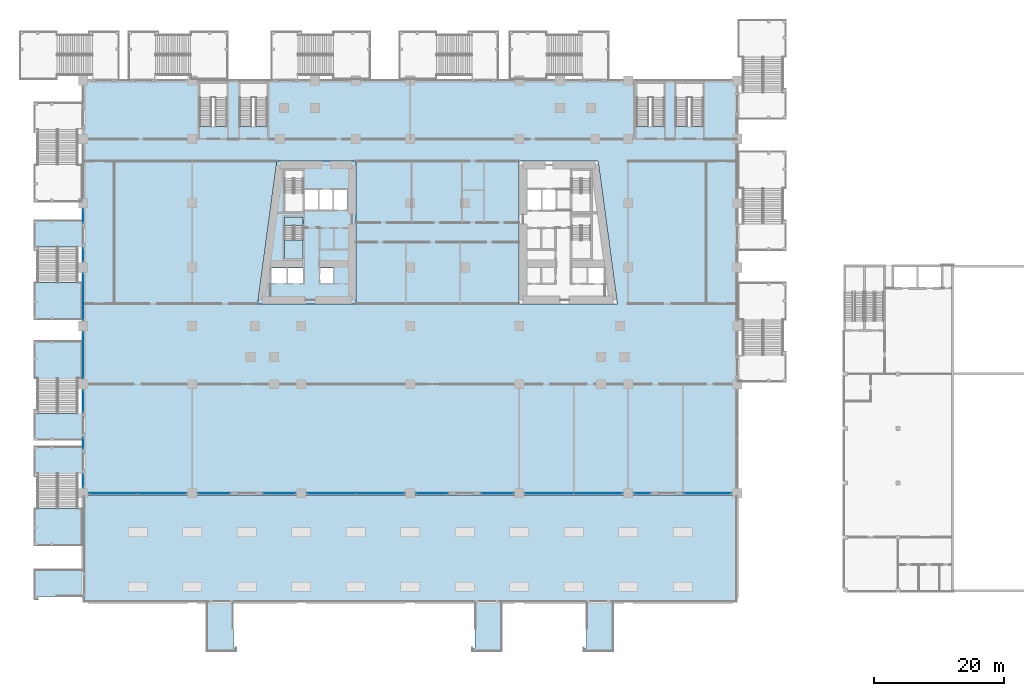
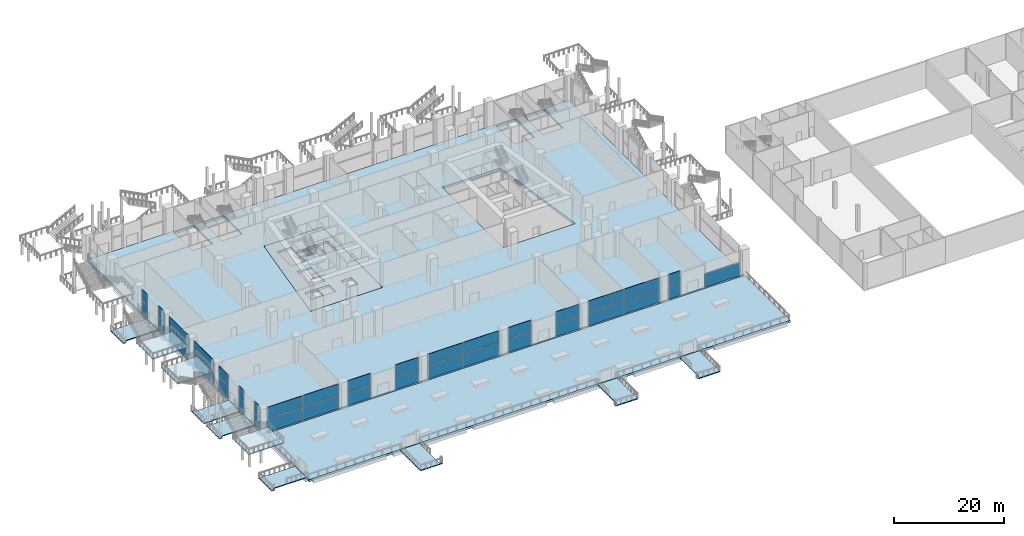
# One storey, part 14 of 47: 37 plates, 16 slabs, 20 elements without a shape of their own.
"""IFC4 building model written with IfcOpenShell, lengths in metres."""

from ifc_helpers import new_model, si_unit, direction, frame, origin, origin_2d, place, context, subcontext, project, spatial, polyline, rectangle, outline, extrude, material, layer, layer_set, type_object, element, aggregate, save


model = new_model("IFC4")

# Units and contexts
model_context = context("Model", 3, precision=1e-05, world=origin(), true_north=direction((0.0, 1.0)))
body_context = subcontext(model_context, "Body", "Model", "MODEL_VIEW")
ifc_project = project(units=[si_unit("LENGTHUNIT", "METRE"), si_unit("AREAUNIT", "SQUARE_METRE"), si_unit("VOLUMEUNIT", "CUBIC_METRE"), si_unit("PLANEANGLEUNIT", "RADIAN"), si_unit("MASSUNIT", "GRAM", prefix="KILO")], contexts=[model_context])

# Site, building, storey
site_placement = place(None, origin())
site = spatial("IfcSite", under=ifc_project, at=site_placement, CompositionType="ELEMENT")
building_placement = place(site_placement, origin())
building = spatial("IfcBuilding", under=site, at=building_placement, Name="Candeia Pilgrim Tower and Theatre", CompositionType="ELEMENT")
storey_placement = place(building_placement, frame((0.0, 0.0, 23.0)))
storey = spatial("IfcBuildingStorey", under=building, at=storey_placement, Name="L03", CompositionType="ELEMENT", Elevation=23.0)

# Curtain wall, plates
ifc_material_1 = material(Name="Aluminium framed podium glazing", Category="aluminium")
curtain_wall_type = type_object("IfcCurtainWallType", Name="CW-P curtain wall", PredefinedType="NOTDEFINED", material=ifc_material_1)
curtain_wall_1_placement = place(storey_placement, origin())
curtain_wall_1 = element("IfcCurtainWall", 1, at=curtain_wall_1_placement, inside=storey, type_object=curtain_wall_type, Name="Curtain wall CW-P L03.000", PredefinedType="NOTDEFINED")
ifc_material_2 = material(Name="Laminated low-iron glass 2 x 8 mm", Category="glass")
ifc_layer_1 = layer(ifc_material_2, 0.035888671875)
ifc_layer_set_1 = layer_set([ifc_layer_1], Name="CW-P glass panel 36")
plate_type = type_object("IfcPlateType", Name="CW-P glass panel 36", PredefinedType="CURTAIN_PANEL", material=ifc_layer_set_1)
plate_1_placement = place(storey_placement, frame((58.800048828125, 83.125, 0.0), z_axis=(0.0, 0.0, 1.0), x_axis=(0.0, 1.0, 0.0)))
plate_1 = element("IfcPlate", 2, at=plate_1_placement, type_object=plate_type, Name="CW-P panel 1.1", PredefinedType="CURTAIN_PANEL", context=body_context, shape_type="SweptSolid", body=[
    extrude(rectangle(XDim=1.969970703125, YDim=0.035888671875, at=origin_2d()), origin(), (0.0, 0.0, 1.0), 2.9599609375),
])
plate_2_placement = place(storey_placement, frame((58.800048828125, 83.125, 3.0400390625), z_axis=(0.0, 0.0, 1.0), x_axis=(0.0, 1.0, 0.0)))
plate_2 = element("IfcPlate", 3, at=plate_2_placement, type_object=plate_type, Name="CW-P panel 1.2", PredefinedType="CURTAIN_PANEL", context=body_context, shape_type="SweptSolid", body=[
    extrude(rectangle(XDim=1.969970703125, YDim=0.035888671875, at=origin_2d()), origin(), (0.0, 0.0, 1.0), 2.4599609375),
])
aggregate(curtain_wall_1, [plate_1, plate_2])

curtain_wall_2_placement = place(storey_placement, origin())
curtain_wall_2 = element("IfcCurtainWall", 4, at=curtain_wall_2_placement, inside=storey, type_object=curtain_wall_type, Name="Curtain wall CW-P L03.001", PredefinedType="NOTDEFINED")
plate_3_placement = place(storey_placement, frame((58.800048828125, 88.89990234375, 0.0), z_axis=(0.0, 0.0, 1.0), x_axis=(0.0, 1.0, 0.0)))
plate_3 = element("IfcPlate", 5, at=plate_3_placement, type_object=plate_type, Name="CW-P panel 1.1", PredefinedType="CURTAIN_PANEL", context=body_context, shape_type="SweptSolid", body=[
    extrude(rectangle(XDim=1.6201171875, YDim=0.035888671875, at=origin_2d()), origin(), (0.0, 0.0, 1.0), 2.9599609375),
])
plate_4_placement = place(storey_placement, frame((58.800048828125, 88.89990234375, 3.0400390625), z_axis=(0.0, 0.0, 1.0), x_axis=(0.0, 1.0, 0.0)))
plate_4 = element("IfcPlate", 6, at=plate_4_placement, type_object=plate_type, Name="CW-P panel 1.2", PredefinedType="CURTAIN_PANEL", context=body_context, shape_type="SweptSolid", body=[
    extrude(rectangle(XDim=1.6201171875, YDim=0.035888671875, at=origin_2d()), origin(), (0.0, 0.0, 1.0), 2.4599609375),
])
aggregate(curtain_wall_2, [plate_3, plate_4])

curtain_wall_3_placement = place(storey_placement, origin())
curtain_wall_3 = element("IfcCurtainWall", 7, at=curtain_wall_3_placement, inside=storey, type_object=curtain_wall_type, Name="Curtain wall CW-P L03.002", PredefinedType="NOTDEFINED")
plate_5_placement = place(storey_placement, frame((58.800048828125, 95.375, 0.0), z_axis=(0.0, 0.0, 1.0), x_axis=(0.0, 1.0, 0.0)))
plate_5 = element("IfcPlate", 8, at=plate_5_placement, type_object=plate_type, Name="CW-P panel 1.1", PredefinedType="CURTAIN_PANEL", context=body_context, shape_type="SweptSolid", body=[
    extrude(rectangle(XDim=3.3701171875, YDim=0.035888671875, at=origin_2d()), origin(), (0.0, 0.0, 1.0), 2.9599609375),
])
plate_6_placement = place(storey_placement, frame((58.800048828125, 95.375, 3.0400390625), z_axis=(0.0, 0.0, 1.0), x_axis=(0.0, 1.0, 0.0)))
plate_6 = element("IfcPlate", 9, at=plate_6_placement, type_object=plate_type, Name="CW-P panel 1.2", PredefinedType="CURTAIN_PANEL", context=body_context, shape_type="SweptSolid", body=[
    extrude(rectangle(XDim=3.3701171875, YDim=0.035888671875, at=origin_2d()), origin(), (0.0, 0.0, 1.0), 2.4599609375),
])
aggregate(curtain_wall_3, [plate_5, plate_6])

curtain_wall_4_placement = place(storey_placement, origin())
curtain_wall_4 = element("IfcCurtainWall", 10, at=curtain_wall_4_placement, inside=storey, type_object=curtain_wall_type, Name="Curtain wall CW-P L03.010", PredefinedType="NOTDEFINED")
plate_7_placement = place(storey_placement, frame((58.800048828125, 102.5, 0.0), z_axis=(0.0, 0.0, 1.0), x_axis=(0.0, 1.0, 0.0)))
plate_7 = element("IfcPlate", 11, at=plate_7_placement, type_object=plate_type, Name="CW-P panel 1.1", PredefinedType="CURTAIN_PANEL", context=body_context, shape_type="SweptSolid", body=[
    extrude(rectangle(XDim=7.1201171875, YDim=0.035888671875, at=origin_2d()), origin(), (0.0, 0.0, 1.0), 2.9599609375),
])
plate_8_placement = place(storey_placement, frame((58.800048828125, 102.5, 3.0400390625), z_axis=(0.0, 0.0, 1.0), x_axis=(0.0, 1.0, 0.0)))
plate_8 = element("IfcPlate", 12, at=plate_8_placement, type_object=plate_type, Name="CW-P panel 1.2", PredefinedType="CURTAIN_PANEL", context=body_context, shape_type="SweptSolid", body=[
    extrude(rectangle(XDim=7.1201171875, YDim=0.035888671875, at=origin_2d()), origin(), (0.0, 0.0, 1.0), 2.4599609375),
])
aggregate(curtain_wall_4, [plate_7, plate_8])

curtain_wall_5_placement = place(storey_placement, origin())
curtain_wall_5 = element("IfcCurtainWall", 13, at=curtain_wall_5_placement, inside=storey, type_object=curtain_wall_type, Name="Curtain wall CW-P L03.020", PredefinedType="NOTDEFINED")
plate_9_placement = place(storey_placement, frame((58.800048828125, 111.5, 0.0), z_axis=(0.0, 0.0, 1.0), x_axis=(0.0, 1.0, 0.0)))
plate_9 = element("IfcPlate", 14, at=plate_9_placement, type_object=plate_type, Name="CW-P panel 1.1", PredefinedType="CURTAIN_PANEL", context=body_context, shape_type="SweptSolid", body=[
    extrude(rectangle(XDim=7.1201171875, YDim=0.035888671875, at=origin_2d()), origin(), (0.0, 0.0, 1.0), 2.9599609375),
])
plate_10_placement = place(storey_placement, frame((58.800048828125, 111.5, 3.0400390625), z_axis=(0.0, 0.0, 1.0), x_axis=(0.0, 1.0, 0.0)))
plate_10 = element("IfcPlate", 15, at=plate_10_placement, type_object=plate_type, Name="CW-P panel 1.2", PredefinedType="CURTAIN_PANEL", context=body_context, shape_type="SweptSolid", body=[
    extrude(rectangle(XDim=7.1201171875, YDim=0.035888671875, at=origin_2d()), origin(), (0.0, 0.0, 1.0), 2.4599609375),
])
aggregate(curtain_wall_5, [plate_9, plate_10])

curtain_wall_6_placement = place(storey_placement, origin())
curtain_wall_6 = element("IfcCurtainWall", 16, at=curtain_wall_6_placement, inside=storey, type_object=curtain_wall_type, Name="Curtain wall CW-P L03.030", PredefinedType="NOTDEFINED")
plate_11_placement = place(storey_placement, frame((58.800048828125, 117.949951171875, 0.0), z_axis=(0.0, 0.0, 1.0), x_axis=(0.0, 1.0, 0.0)))
plate_11 = element("IfcPlate", 17, at=plate_11_placement, type_object=plate_type, Name="CW-P panel 1.1", PredefinedType="CURTAIN_PANEL", context=body_context, shape_type="SweptSolid", body=[
    extrude(rectangle(XDim=2.02001953125, YDim=0.035888671875, at=origin_2d()), origin(), (0.0, 0.0, 1.0), 2.9599609375),
])
plate_12_placement = place(storey_placement, frame((58.800048828125, 117.949951171875, 3.0400390625), z_axis=(0.0, 0.0, 1.0), x_axis=(0.0, 1.0, 0.0)))
plate_12 = element("IfcPlate", 18, at=plate_12_placement, type_object=plate_type, Name="CW-P panel 1.2", PredefinedType="CURTAIN_PANEL", context=body_context, shape_type="SweptSolid", body=[
    extrude(rectangle(XDim=2.02001953125, YDim=0.035888671875, at=origin_2d()), origin(), (0.0, 0.0, 1.0), 2.4599609375),
])
aggregate(curtain_wall_6, [plate_11, plate_12])

curtain_wall_7_placement = place(storey_placement, origin())
curtain_wall_7 = element("IfcCurtainWall", 19, at=curtain_wall_7_placement, inside=storey, type_object=curtain_wall_type, Name="Curtain wall CW-P L03.031", PredefinedType="NOTDEFINED")
plate_13_placement = place(storey_placement, frame((58.800048828125, 123.949951171875, 0.0), z_axis=(0.0, 0.0, 1.0), x_axis=(0.0, 1.0, 0.0)))
plate_13 = element("IfcPlate", 20, at=plate_13_placement, type_object=plate_type, Name="CW-P panel 1.1", PredefinedType="CURTAIN_PANEL", context=body_context, shape_type="SweptSolid", body=[
    extrude(rectangle(XDim=2.02001953125, YDim=0.035888671875, at=origin_2d()), origin(), (0.0, 0.0, 1.0), 2.9599609375),
])
plate_14_placement = place(storey_placement, frame((58.800048828125, 123.949951171875, 3.0400390625), z_axis=(0.0, 0.0, 1.0), x_axis=(0.0, 1.0, 0.0)))
plate_14 = element("IfcPlate", 21, at=plate_14_placement, type_object=plate_type, Name="CW-P panel 1.2", PredefinedType="CURTAIN_PANEL", context=body_context, shape_type="SweptSolid", body=[
    extrude(rectangle(XDim=2.02001953125, YDim=0.035888671875, at=origin_2d()), origin(), (0.0, 0.0, 1.0), 2.4599609375),
])
aggregate(curtain_wall_7, [plate_13, plate_14])

# Curtain wall, plate
curtain_wall_8_placement = place(storey_placement, origin())
curtain_wall_8 = element("IfcCurtainWall", 22, at=curtain_wall_8_placement, inside=storey, type_object=curtain_wall_type, Name="Curtain wall CW-P L03.300", PredefinedType="NOTDEFINED")
plate_15_placement = place(storey_placement, frame((155.02490234375, 81.199951171875, 0.0), z_axis=(0.0, 0.0, 1.0), x_axis=(-1.0, 0.0, 0.0)))
plate_15 = element("IfcPlate", 23, at=plate_15_placement, type_object=plate_type, Name="CW-P panel 1.1", PredefinedType="CURTAIN_PANEL", context=body_context, shape_type="SweptSolid", body=[
    extrude(rectangle(XDim=7.27001953125, YDim=0.035888671875, at=origin_2d()), origin(), (0.0, 0.0, 1.0), 2.9599609375),
])
aggregate(curtain_wall_8, [plate_15])

# Curtain wall, plates
curtain_wall_9_placement = place(storey_placement, origin())
curtain_wall_9 = element("IfcCurtainWall", 24, at=curtain_wall_9_placement, inside=storey, type_object=curtain_wall_type, Name="Curtain wall CW-P L03.301", PredefinedType="NOTDEFINED")
plate_16_placement = place(storey_placement, frame((144.97509765625, 81.199951171875, 0.0), z_axis=(0.0, 0.0, 1.0), x_axis=(-1.0, 0.0, 0.0)))
plate_16 = element("IfcPlate", 25, at=plate_16_placement, type_object=plate_type, Name="CW-P panel 1.1", PredefinedType="CURTAIN_PANEL", context=body_context, shape_type="SweptSolid", body=[
    extrude(rectangle(XDim=2.469970703125, YDim=0.035888671875, at=origin_2d()), origin(), (0.0, 0.0, 1.0), 2.9599609375),
])
plate_17_placement = place(storey_placement, frame((144.97509765625, 81.199951171875, 3.0400390625), z_axis=(0.0, 0.0, 1.0), x_axis=(-1.0, 0.0, 0.0)))
plate_17 = element("IfcPlate", 26, at=plate_17_placement, type_object=plate_type, Name="CW-P panel 1.2", PredefinedType="CURTAIN_PANEL", context=body_context, shape_type="SweptSolid", body=[
    extrude(rectangle(XDim=2.469970703125, YDim=0.035888671875, at=origin_2d()), origin(), (0.0, 0.0, 1.0), 2.4599609375),
])
aggregate(curtain_wall_9, [plate_16, plate_17])

curtain_wall_10_placement = place(storey_placement, origin())
curtain_wall_10 = element("IfcCurtainWall", 27, at=curtain_wall_10_placement, inside=storey, type_object=curtain_wall_type, Name="Curtain wall CW-P L03.310", PredefinedType="NOTDEFINED")
plate_18_placement = place(storey_placement, frame((138.14990234375, 81.199951171875, 0.0), z_axis=(0.0, 0.0, 1.0), x_axis=(-1.0, 0.0, 0.0)))
plate_18 = element("IfcPlate", 28, at=plate_18_placement, type_object=plate_type, Name="CW-P panel 1.1", PredefinedType="CURTAIN_PANEL", context=body_context, shape_type="SweptSolid", body=[
    extrude(rectangle(XDim=7.419921875, YDim=0.035888671875, at=origin_2d()), origin(), (0.0, 0.0, 1.0), 2.9599609375),
])
plate_19_placement = place(storey_placement, frame((138.14990234375, 81.199951171875, 3.0400390625), z_axis=(0.0, 0.0, 1.0), x_axis=(-1.0, 0.0, 0.0)))
plate_19 = element("IfcPlate", 29, at=plate_19_placement, type_object=plate_type, Name="CW-P panel 1.2", PredefinedType="CURTAIN_PANEL", context=body_context, shape_type="SweptSolid", body=[
    extrude(rectangle(XDim=7.419921875, YDim=0.035888671875, at=origin_2d()), origin(), (0.0, 0.0, 1.0), 2.4599609375),
])
plate_20_placement = place(storey_placement, frame((130.64990234375, 81.199951171875, 0.0), z_axis=(0.0, 0.0, 1.0), x_axis=(-1.0, 0.0, 0.0)))
plate_20 = element("IfcPlate", 30, at=plate_20_placement, type_object=plate_type, Name="CW-P panel 2.1", PredefinedType="CURTAIN_PANEL", context=body_context, shape_type="SweptSolid", body=[
    extrude(rectangle(XDim=7.419921875, YDim=0.035888671875, at=origin_2d()), origin(), (0.0, 0.0, 1.0), 2.9599609375),
])
plate_21_placement = place(storey_placement, frame((130.64990234375, 81.199951171875, 3.0400390625), z_axis=(0.0, 0.0, 1.0), x_axis=(-1.0, 0.0, 0.0)))
plate_21 = element("IfcPlate", 31, at=plate_21_placement, type_object=plate_type, Name="CW-P panel 2.2", PredefinedType="CURTAIN_PANEL", context=body_context, shape_type="SweptSolid", body=[
    extrude(rectangle(XDim=7.419921875, YDim=0.035888671875, at=origin_2d()), origin(), (0.0, 0.0, 1.0), 2.4599609375),
])
aggregate(curtain_wall_10, [plate_18, plate_19, plate_20, plate_21])

curtain_wall_11_placement = place(storey_placement, origin())
curtain_wall_11 = element("IfcCurtainWall", 32, at=curtain_wall_11_placement, inside=storey, type_object=curtain_wall_type, Name="Curtain wall CW-P L03.320", PredefinedType="NOTDEFINED")
plate_22_placement = place(storey_placement, frame((122.625, 81.199951171875, 0.0), z_axis=(0.0, 0.0, 1.0), x_axis=(-1.0, 0.0, 0.0)))
plate_22 = element("IfcPlate", 33, at=plate_22_placement, type_object=plate_type, Name="CW-P panel 1.1", PredefinedType="CURTAIN_PANEL", context=body_context, shape_type="SweptSolid", body=[
    extrude(rectangle(XDim=4.8701171875, YDim=0.035888671875, at=origin_2d()), origin(), (0.0, 0.0, 1.0), 2.9599609375),
])
plate_23_placement = place(storey_placement, frame((122.625, 81.199951171875, 3.0400390625), z_axis=(0.0, 0.0, 1.0), x_axis=(-1.0, 0.0, 0.0)))
plate_23 = element("IfcPlate", 34, at=plate_23_placement, type_object=plate_type, Name="CW-P panel 1.2", PredefinedType="CURTAIN_PANEL", context=body_context, shape_type="SweptSolid", body=[
    extrude(rectangle(XDim=4.8701171875, YDim=0.035888671875, at=origin_2d()), origin(), (0.0, 0.0, 1.0), 2.4599609375),
])
aggregate(curtain_wall_11, [plate_22, plate_23])

curtain_wall_12_placement = place(storey_placement, origin())
curtain_wall_12 = element("IfcCurtainWall", 35, at=curtain_wall_12_placement, inside=storey, type_object=curtain_wall_type, Name="Curtain wall CW-P L03.321", PredefinedType="NOTDEFINED")
plate_24_placement = place(storey_placement, frame((112.574951171875, 81.199951171875, 0.0), z_axis=(0.0, 0.0, 1.0), x_axis=(-1.0, 0.0, 0.0)))
plate_24 = element("IfcPlate", 36, at=plate_24_placement, type_object=plate_type, Name="CW-P panel 1.1", PredefinedType="CURTAIN_PANEL", context=body_context, shape_type="SweptSolid", body=[
    extrude(rectangle(XDim=4.8701171875, YDim=0.035888671875, at=origin_2d()), origin(), (0.0, 0.0, 1.0), 2.9599609375),
])
plate_25_placement = place(storey_placement, frame((112.574951171875, 81.199951171875, 3.0400390625), z_axis=(0.0, 0.0, 1.0), x_axis=(-1.0, 0.0, 0.0)))
plate_25 = element("IfcPlate", 37, at=plate_25_placement, type_object=plate_type, Name="CW-P panel 1.2", PredefinedType="CURTAIN_PANEL", context=body_context, shape_type="SweptSolid", body=[
    extrude(rectangle(XDim=4.8701171875, YDim=0.035888671875, at=origin_2d()), origin(), (0.0, 0.0, 1.0), 2.4599609375),
])
aggregate(curtain_wall_12, [plate_24, plate_25])

curtain_wall_13_placement = place(storey_placement, origin())
curtain_wall_13 = element("IfcCurtainWall", 38, at=curtain_wall_13_placement, inside=storey, type_object=curtain_wall_type, Name="Curtain wall CW-P L03.330", PredefinedType="NOTDEFINED")
plate_26_placement = place(storey_placement, frame((104.550048828125, 81.199951171875, 0.0), z_axis=(0.0, 0.0, 1.0), x_axis=(-1.0, 0.0, 0.0)))
plate_26 = element("IfcPlate", 39, at=plate_26_placement, type_object=plate_type, Name="CW-P panel 1.1", PredefinedType="CURTAIN_PANEL", context=body_context, shape_type="SweptSolid", body=[
    extrude(rectangle(XDim=7.419921875, YDim=0.035888671875, at=origin_2d()), origin(), (0.0, 0.0, 1.0), 2.9599609375),
])
plate_27_placement = place(storey_placement, frame((104.550048828125, 81.199951171875, 3.0400390625), z_axis=(0.0, 0.0, 1.0), x_axis=(-1.0, 0.0, 0.0)))
plate_27 = element("IfcPlate", 40, at=plate_27_placement, type_object=plate_type, Name="CW-P panel 1.2", PredefinedType="CURTAIN_PANEL", context=body_context, shape_type="SweptSolid", body=[
    extrude(rectangle(XDim=7.419921875, YDim=0.035888671875, at=origin_2d()), origin(), (0.0, 0.0, 1.0), 2.4599609375),
])
plate_28_placement = place(storey_placement, frame((97.050048828125, 81.199951171875, 0.0), z_axis=(0.0, 0.0, 1.0), x_axis=(-1.0, 0.0, 0.0)))
plate_28 = element("IfcPlate", 41, at=plate_28_placement, type_object=plate_type, Name="CW-P panel 2.1", PredefinedType="CURTAIN_PANEL", context=body_context, shape_type="SweptSolid", body=[
    extrude(rectangle(XDim=7.419921875, YDim=0.035888671875, at=origin_2d()), origin(), (0.0, 0.0, 1.0), 2.9599609375),
])
plate_29_placement = place(storey_placement, frame((97.050048828125, 81.199951171875, 3.0400390625), z_axis=(0.0, 0.0, 1.0), x_axis=(-1.0, 0.0, 0.0)))
plate_29 = element("IfcPlate", 42, at=plate_29_placement, type_object=plate_type, Name="CW-P panel 2.2", PredefinedType="CURTAIN_PANEL", context=body_context, shape_type="SweptSolid", body=[
    extrude(rectangle(XDim=7.419921875, YDim=0.035888671875, at=origin_2d()), origin(), (0.0, 0.0, 1.0), 2.4599609375),
])
aggregate(curtain_wall_13, [plate_26, plate_27, plate_28, plate_29])

curtain_wall_14_placement = place(storey_placement, origin())
curtain_wall_14 = element("IfcCurtainWall", 43, at=curtain_wall_14_placement, inside=storey, type_object=curtain_wall_type, Name="Curtain wall CW-P L03.340", PredefinedType="NOTDEFINED")
plate_30_placement = place(storey_placement, frame((89.02490234375, 81.199951171875, 0.0), z_axis=(0.0, 0.0, 1.0), x_axis=(-1.0, 0.0, 0.0)))
plate_30 = element("IfcPlate", 44, at=plate_30_placement, type_object=plate_type, Name="CW-P panel 1.1", PredefinedType="CURTAIN_PANEL", context=body_context, shape_type="SweptSolid", body=[
    extrude(rectangle(XDim=4.8701171875, YDim=0.035888671875, at=origin_2d()), origin(), (0.0, 0.0, 1.0), 2.9599609375),
])
plate_31_placement = place(storey_placement, frame((89.02490234375, 81.199951171875, 3.0400390625), z_axis=(0.0, 0.0, 1.0), x_axis=(-1.0, 0.0, 0.0)))
plate_31 = element("IfcPlate", 45, at=plate_31_placement, type_object=plate_type, Name="CW-P panel 1.2", PredefinedType="CURTAIN_PANEL", context=body_context, shape_type="SweptSolid", body=[
    extrude(rectangle(XDim=4.8701171875, YDim=0.035888671875, at=origin_2d()), origin(), (0.0, 0.0, 1.0), 2.4599609375),
])
aggregate(curtain_wall_14, [plate_30, plate_31])

curtain_wall_15_placement = place(storey_placement, origin())
curtain_wall_15 = element("IfcCurtainWall", 46, at=curtain_wall_15_placement, inside=storey, type_object=curtain_wall_type, Name="Curtain wall CW-P L03.341", PredefinedType="NOTDEFINED")
plate_32_placement = place(storey_placement, frame((78.97509765625, 81.199951171875, 0.0), z_axis=(0.0, 0.0, 1.0), x_axis=(-1.0, 0.0, 0.0)))
plate_32 = element("IfcPlate", 47, at=plate_32_placement, type_object=plate_type, Name="CW-P panel 1.1", PredefinedType="CURTAIN_PANEL", context=body_context, shape_type="SweptSolid", body=[
    extrude(rectangle(XDim=4.8701171875, YDim=0.035888671875, at=origin_2d()), origin(), (0.0, 0.0, 1.0), 2.9599609375),
])
plate_33_placement = place(storey_placement, frame((78.97509765625, 81.199951171875, 3.0400390625), z_axis=(0.0, 0.0, 1.0), x_axis=(-1.0, 0.0, 0.0)))
plate_33 = element("IfcPlate", 48, at=plate_33_placement, type_object=plate_type, Name="CW-P panel 1.2", PredefinedType="CURTAIN_PANEL", context=body_context, shape_type="SweptSolid", body=[
    extrude(rectangle(XDim=4.8701171875, YDim=0.035888671875, at=origin_2d()), origin(), (0.0, 0.0, 1.0), 2.4599609375),
])
aggregate(curtain_wall_15, [plate_32, plate_33])

curtain_wall_16_placement = place(storey_placement, origin())
curtain_wall_16 = element("IfcCurtainWall", 49, at=curtain_wall_16_placement, inside=storey, type_object=curtain_wall_type, Name="Curtain wall CW-P L03.350", PredefinedType="NOTDEFINED")
plate_34_placement = place(storey_placement, frame((70.949951171875, 81.199951171875, 0.0), z_axis=(0.0, 0.0, 1.0), x_axis=(-1.0, 0.0, 0.0)))
plate_34 = element("IfcPlate", 50, at=plate_34_placement, type_object=plate_type, Name="CW-P panel 1.1", PredefinedType="CURTAIN_PANEL", context=body_context, shape_type="SweptSolid", body=[
    extrude(rectangle(XDim=7.419921875, YDim=0.035888671875, at=origin_2d()), origin(), (0.0, 0.0, 1.0), 2.9599609375),
])
plate_35_placement = place(storey_placement, frame((70.949951171875, 81.199951171875, 3.0400390625), z_axis=(0.0, 0.0, 1.0), x_axis=(-1.0, 0.0, 0.0)))
plate_35 = element("IfcPlate", 51, at=plate_35_placement, type_object=plate_type, Name="CW-P panel 1.2", PredefinedType="CURTAIN_PANEL", context=body_context, shape_type="SweptSolid", body=[
    extrude(rectangle(XDim=7.419921875, YDim=0.035888671875, at=origin_2d()), origin(), (0.0, 0.0, 1.0), 2.4599609375),
])
plate_36_placement = place(storey_placement, frame((63.449951171875, 81.199951171875, 0.0), z_axis=(0.0, 0.0, 1.0), x_axis=(-1.0, 0.0, 0.0)))
plate_36 = element("IfcPlate", 52, at=plate_36_placement, type_object=plate_type, Name="CW-P panel 2.1", PredefinedType="CURTAIN_PANEL", context=body_context, shape_type="SweptSolid", body=[
    extrude(rectangle(XDim=7.419921875, YDim=0.035888671875, at=origin_2d()), origin(), (0.0, 0.0, 1.0), 2.9599609375),
])
plate_37_placement = place(storey_placement, frame((63.449951171875, 81.199951171875, 3.0400390625), z_axis=(0.0, 0.0, 1.0), x_axis=(-1.0, 0.0, 0.0)))
plate_37 = element("IfcPlate", 53, at=plate_37_placement, type_object=plate_type, Name="CW-P panel 2.2", PredefinedType="CURTAIN_PANEL", context=body_context, shape_type="SweptSolid", body=[
    extrude(rectangle(XDim=7.419921875, YDim=0.035888671875, at=origin_2d()), origin(), (0.0, 0.0, 1.0), 2.4599609375),
])
aggregate(curtain_wall_16, [plate_34, plate_35, plate_36, plate_37])

# Slabs
ifc_material_3 = material(Name="Concrete C60/75", Category="concrete")
ifc_layer_2 = layer(ifc_material_3, 0.5)
ifc_layer_set_2 = layer_set([ifc_layer_2], Name="FS-CORE 500 core floor")
slab_type_1 = type_object("IfcSlabType", Name="FS-CORE 500 core floor", PredefinedType="FLOOR", material=ifc_layer_set_2)
slab_1_placement = place(storey_placement, frame((0.0, 0.0, -0.5)))
element("IfcSlab", 54, at=slab_1_placement, inside=storey, type_object=slab_type_1, Name="Core floor W L03", PredefinedType="FLOOR", context=body_context, shape_type="SweptSolid", body=[
    extrude(outline(polyline([(100.800048828125, 132.39990234375), (100.800048828125, 110.39990234375), (85.669189453125, 110.39990234375), (88.630859375, 132.39990234375), (100.800048828125, 132.39990234375)]), holes=[polyline([(97.392333984375, 128.050048828125), (97.392333984375, 124.85009765625), (99.550048828125, 124.85009765625), (99.550048828125, 128.050048828125), (97.392333984375, 128.050048828125)]), polyline([(95.277099609375, 115.949951171875), (95.277099609375, 113.550048828125), (97.363525390625, 113.550048828125), (97.363525390625, 115.949951171875), (95.277099609375, 115.949951171875)]), polyline([(95.134765625, 128.050048828125), (95.134765625, 124.85009765625), (97.292236328125, 124.85009765625), (97.292236328125, 128.050048828125), (95.134765625, 128.050048828125)]), polyline([(92.876953125, 128.050048828125), (92.876953125, 124.85009765625), (95.03466796875, 124.85009765625), (95.03466796875, 128.050048828125), (92.876953125, 128.050048828125)]), polyline([(90.279052734375, 115.949951171875), (90.279052734375, 113.550048828125), (92.777099609375, 113.550048828125), (92.777099609375, 115.949951171875), (90.279052734375, 115.949951171875)]), polyline([(89.802001953125, 122.455078125), (89.802001953125, 117.324951171875), (92.701904296875, 117.324951171875), (92.701904296875, 122.455078125), (89.802001953125, 122.455078125)]), polyline([(89.802001953125, 129.705078125), (89.802001953125, 124.574951171875), (92.701904296875, 124.574951171875), (92.701904296875, 129.705078125), (89.802001953125, 129.705078125)]), polyline([(87.680908203125, 115.949951171875), (87.680908203125, 113.550048828125), (90.178955078125, 113.550048828125), (90.178955078125, 115.949951171875), (87.680908203125, 115.949951171875)])]), origin(), (0.0, 0.0, 1.0), 0.5),
])
ifc_material_4 = material(Name="Concrete C50/60", Category="concrete")
ifc_layer_3 = layer(ifc_material_4, 0.5)
ifc_layer_set_3 = layer_set([ifc_layer_3], Name="Floor slab 500 C50/60")
slab_type_2 = type_object("IfcSlabType", Name="Floor slab 500 C50/60", PredefinedType="FLOOR", material=ifc_layer_set_3)
slab_2_placement = place(storey_placement, frame((0.0, 0.0, -0.5)))
element("IfcSlab", 55, at=slab_2_placement, inside=storey, type_object=slab_type_2, Name="Floor slab L03", PredefinedType="FLOOR", context=body_context, shape_type="SweptSolid", body=[
    extrude(outline(polyline([(58.800048828125, 144.800048828125), (159.60009765625, 144.800048828125), (159.60009765625, 81.199951171875), (58.800048828125, 81.199951171875), (58.800048828125, 144.800048828125)]), holes=[polyline([(85.669189453125, 110.39990234375), (100.800048828125, 110.39990234375), (100.800048828125, 132.39990234375), (88.630859375, 132.39990234375), (85.669189453125, 110.39990234375)]), polyline([(126.0, 110.39990234375), (141.130859375, 110.39990234375), (138.169189453125, 132.39990234375), (126.0, 132.39990234375), (126.0, 110.39990234375)]), polyline([(80.97509765625, 144.425048828125), (76.72509765625, 144.425048828125), (76.72509765625, 137.7451171875), (80.97509765625, 137.7451171875), (80.97509765625, 144.425048828125)]), polyline([(87.175048828125, 144.425048828125), (82.925048828125, 144.425048828125), (82.925048828125, 137.7451171875), (87.175048828125, 137.7451171875), (87.175048828125, 144.425048828125)]), polyline([(148.375, 144.425048828125), (144.125, 144.425048828125), (144.125, 137.7451171875), (148.375, 137.7451171875), (148.375, 144.425048828125)]), polyline([(154.375, 144.425048828125), (150.125, 144.425048828125), (150.125, 137.7451171875), (154.375, 137.7451171875), (154.375, 144.425048828125)])]), origin(), (0.0, 0.0, 1.0), 0.5),
])
ifc_material_5 = material(Name="Concrete C40/50", Category="concrete")
ifc_layer_4 = layer(ifc_material_5, 0.199951171875)
ifc_layer_set_4 = layer_set([ifc_layer_4], Name="SL-EXT stair landing")
slab_type_3 = type_object("IfcSlabType", Name="SL-EXT stair landing", PredefinedType="LANDING", material=ifc_layer_set_4)
slab_3_placement = place(storey_placement, frame((0.0, 0.0, -0.199951171875)))
element("IfcSlab", 56, at=slab_3_placement, inside=storey, type_object=slab_type_3, Name="L03 External escape stair ES8 floor landing", PredefinedType="LANDING", context=body_context, shape_type="SweptSolid", body=[
    extrude(outline(polyline([(77.800048828125, 64.35009765625), (81.919921875, 64.35009765625), (81.919921875, 57.35009765625), (82.39990234375, 57.35009765625), (82.39990234375, 56.85009765625), (77.800048828125, 56.85009765625), (77.800048828125, 64.35009765625)])), origin(), (0.0, 0.0, 1.0), 0.199951171875),
])
slab_4_placement = place(storey_placement, frame((0.0, 0.0, -0.199951171875)))
element("IfcSlab", 57, at=slab_4_placement, inside=storey, type_object=slab_type_3, Name="L03 External escape stair ES9 floor landing", PredefinedType="LANDING", context=body_context, shape_type="SweptSolid", body=[
    extrude(outline(polyline([(123.300048828125, 64.35009765625), (119.179931640625, 64.35009765625), (119.179931640625, 57.35009765625), (118.699951171875, 57.35009765625), (118.699951171875, 56.85009765625), (123.300048828125, 56.85009765625), (123.300048828125, 64.35009765625)])), origin(), (0.0, 0.0, 1.0), 0.199951171875),
])
slab_5_placement = place(storey_placement, frame((0.0, 0.0, -0.199951171875)))
element("IfcSlab", 58, at=slab_5_placement, inside=storey, type_object=slab_type_3, Name="L03 External escape stair ES10 floor landing", PredefinedType="LANDING", context=body_context, shape_type="SweptSolid", body=[
    extrude(outline(polyline([(58.75, 69.39990234375), (58.75, 65.280029296875), (51.75, 65.280029296875), (51.75, 64.800048828125), (51.25, 64.800048828125), (51.25, 69.39990234375), (58.75, 69.39990234375)])), origin(), (0.0, 0.0, 1.0), 0.199951171875),
])
slab_6_placement = place(storey_placement, frame((0.0, 0.0, -0.199951171875)))
element("IfcSlab", 59, at=slab_6_placement, inside=storey, type_object=slab_type_3, Name="L03 External escape stair ES11 floor landing", PredefinedType="LANDING", context=body_context, shape_type="SweptSolid", body=[
    extrude(outline(polyline([(58.75, 88.39990234375), (58.75, 84.280029296875), (51.75, 84.280029296875), (51.75, 83.800048828125), (51.25, 83.800048828125), (51.25, 88.39990234375), (58.75, 88.39990234375)])), origin(), (0.0, 0.0, 1.0), 0.199951171875),
])

# Stair, slab
stair_type_1 = type_object("IfcStairType", Name="ST-EXT external escape stair", PredefinedType="HALF_TURN_STAIR", material=ifc_material_5)
stair_1_placement = place(storey_placement, origin())
stair_1 = element("IfcStair", 60, at=stair_1_placement, inside=storey, type_object=stair_type_1, Name="L03 External escape stair ES11", PredefinedType="HALF_TURN_STAIR")
slab_7_placement = place(storey_placement, frame((0.0, 0.0, 2.800048828125)))
slab_7 = element("IfcSlab", 61, at=slab_7_placement, type_object=slab_type_3, Name="L03 External escape stair ES11 landing", PredefinedType="LANDING", context=body_context, shape_type="SweptSolid", body=[
    extrude(outline(polyline([(58.60009765625, 78.8798828125), (58.60009765625, 73.139892578125), (51.25, 73.139892578125), (51.25, 78.8798828125), (58.60009765625, 78.8798828125)])), origin(), (0.0, 0.0, 1.0), 0.199951171875),
])
aggregate(stair_1, [slab_7])

# Slab
slab_8_placement = place(storey_placement, frame((0.0, 0.0, -0.199951171875)))
element("IfcSlab", 62, at=slab_8_placement, inside=storey, type_object=slab_type_3, Name="L03 External escape stair ES12 floor landing", PredefinedType="LANDING", context=body_context, shape_type="SweptSolid", body=[
    extrude(outline(polyline([(58.75, 89.39990234375), (58.75, 93.52001953125), (51.75, 93.52001953125), (51.75, 94.0), (51.25, 94.0), (51.25, 89.39990234375), (58.75, 89.39990234375)])), origin(), (0.0, 0.0, 1.0), 0.199951171875),
])

# Stair, slab
stair_2_placement = place(storey_placement, origin())
stair_2 = element("IfcStair", 63, at=stair_2_placement, inside=storey, type_object=stair_type_1, Name="L03 External escape stair ES12", PredefinedType="HALF_TURN_STAIR")
slab_9_placement = place(storey_placement, frame((0.0, 0.0, 2.800048828125)))
slab_9 = element("IfcSlab", 64, at=slab_9_placement, type_object=slab_type_3, Name="L03 External escape stair ES12 landing", PredefinedType="LANDING", context=body_context, shape_type="SweptSolid", body=[
    extrude(outline(polyline([(58.60009765625, 98.919921875), (58.60009765625, 104.659912109375), (51.25, 104.659912109375), (51.25, 98.919921875), (58.60009765625, 98.919921875)])), origin(), (0.0, 0.0, 1.0), 0.199951171875),
])
aggregate(stair_2, [slab_9])

# Slab
slab_10_placement = place(storey_placement, frame((0.0, 0.0, -0.199951171875)))
element("IfcSlab", 65, at=slab_10_placement, inside=storey, type_object=slab_type_3, Name="L03 External escape stair ES15 floor landing", PredefinedType="LANDING", context=body_context, shape_type="SweptSolid", body=[
    extrude(outline(polyline([(58.75, 123.25), (58.75, 119.1298828125), (51.75, 119.1298828125), (51.75, 118.64990234375), (51.25, 118.64990234375), (51.25, 123.25), (58.75, 123.25)])), origin(), (0.0, 0.0, 1.0), 0.199951171875),
])

# Stair, slab
stair_3_placement = place(storey_placement, origin())
stair_3 = element("IfcStair", 66, at=stair_3_placement, inside=storey, type_object=stair_type_1, Name="L03 External escape stair ES15", PredefinedType="HALF_TURN_STAIR")
slab_11_placement = place(storey_placement, frame((0.0, 0.0, 2.800048828125)))
slab_11 = element("IfcSlab", 67, at=slab_11_placement, type_object=slab_type_3, Name="L03 External escape stair ES15 landing", PredefinedType="LANDING", context=body_context, shape_type="SweptSolid", body=[
    extrude(outline(polyline([(58.60009765625, 113.72998046875), (58.60009765625, 107.989990234375), (51.25, 107.989990234375), (51.25, 113.72998046875), (58.60009765625, 113.72998046875)])), origin(), (0.0, 0.0, 1.0), 0.199951171875),
])
aggregate(stair_3, [slab_11])

# Slab
slab_12_placement = place(storey_placement, frame((0.0, 0.0, -0.199951171875)))
element("IfcSlab", 68, at=slab_12_placement, inside=storey, type_object=slab_type_3, Name="L03 External escape stair ES16 floor landing", PredefinedType="LANDING", context=body_context, shape_type="SweptSolid", body=[
    extrude(outline(polyline([(140.5, 64.35009765625), (136.3798828125, 64.35009765625), (136.3798828125, 57.35009765625), (135.89990234375, 57.35009765625), (135.89990234375, 56.85009765625), (140.5, 56.85009765625), (140.5, 64.35009765625)])), origin(), (0.0, 0.0, 1.0), 0.199951171875),
])

# Stair, slabs
stair_type_2 = type_object("IfcStairType", Name="ST-TWR dog-leg escape stair", PredefinedType="HALF_TURN_STAIR", material=ifc_material_5)
stair_4_placement = place(storey_placement, origin())
stair_4 = element("IfcStair", 69, at=stair_4_placement, inside=storey, type_object=stair_type_2, Name="L03 Escape stair ST1", PredefinedType="HALF_TURN_STAIR")
ifc_layer_5 = layer(ifc_material_5, 0.199951171875)
ifc_layer_set_5 = layer_set([ifc_layer_5], Name="SL-LANDING stair landing")
slab_type_4 = type_object("IfcSlabType", Name="SL-LANDING stair landing", PredefinedType="LANDING", material=ifc_layer_set_5)
slab_13_placement = place(storey_placement, frame((0.0, 0.0, 1.300048828125)))
slab_13 = element("IfcSlab", 70, at=slab_13_placement, type_object=slab_type_4, Name="ST1 landing 1", PredefinedType="LANDING", context=body_context, shape_type="SweptSolid", body=[
    extrude(outline(polyline([(89.802001953125, 120.235107421875), (89.802001953125, 117.324951171875), (92.701904296875, 117.324951171875), (92.701904296875, 120.235107421875), (89.802001953125, 120.235107421875)])), origin(), (0.0, 0.0, 1.0), 0.199951171875),
])
slab_14_placement = place(storey_placement, frame((0.0, 0.0, 2.800048828125)))
slab_14 = element("IfcSlab", 71, at=slab_14_placement, type_object=slab_type_4, Name="ST1 landing 2", PredefinedType="LANDING", context=body_context, shape_type="SweptSolid", body=[
    extrude(outline(polyline([(89.802001953125, 123.824951171875), (89.802001953125, 122.47509765625), (92.701904296875, 122.47509765625), (92.701904296875, 123.824951171875), (89.802001953125, 123.824951171875)])), origin(), (0.0, 0.0, 1.0), 0.199951171875),
])
slab_15_placement = place(storey_placement, frame((0.0, 0.0, 4.300048828125)))
slab_15 = element("IfcSlab", 72, at=slab_15_placement, type_object=slab_type_4, Name="ST1 landing 3", PredefinedType="LANDING", context=body_context, shape_type="SweptSolid", body=[
    extrude(outline(polyline([(89.802001953125, 120.235107421875), (89.802001953125, 117.324951171875), (92.701904296875, 117.324951171875), (92.701904296875, 120.235107421875), (89.802001953125, 120.235107421875)])), origin(), (0.0, 0.0, 1.0), 0.199951171875),
])
aggregate(stair_4, [slab_13, slab_14, slab_15])

# Slab
ifc_layer_6 = layer(ifc_material_5, 0.5)
ifc_layer_set_6 = layer_set([ifc_layer_6], Name="Terrace slab 500 C40/50")
slab_type_5 = type_object("IfcSlabType", Name="Terrace slab 500 C40/50", PredefinedType="FLOOR", material=ifc_layer_set_6)
slab_16_placement = place(storey_placement, frame((0.0, 0.0, -0.5)))
element("IfcSlab", 73, at=slab_16_placement, inside=storey, type_object=slab_type_5, Name="Terrace slab T-L03-1", PredefinedType="FLOOR", context=body_context, shape_type="SweptSolid", body=[
    extrude(outline(polyline([(58.800048828125, 64.39990234375), (58.800048828125, 80.89990234375), (159.60009765625, 80.89990234375), (159.60009765625, 64.39990234375), (58.800048828125, 64.39990234375)])), origin(), (0.0, 0.0, 1.0), 0.5),
])

save(model, "model.ifc")
